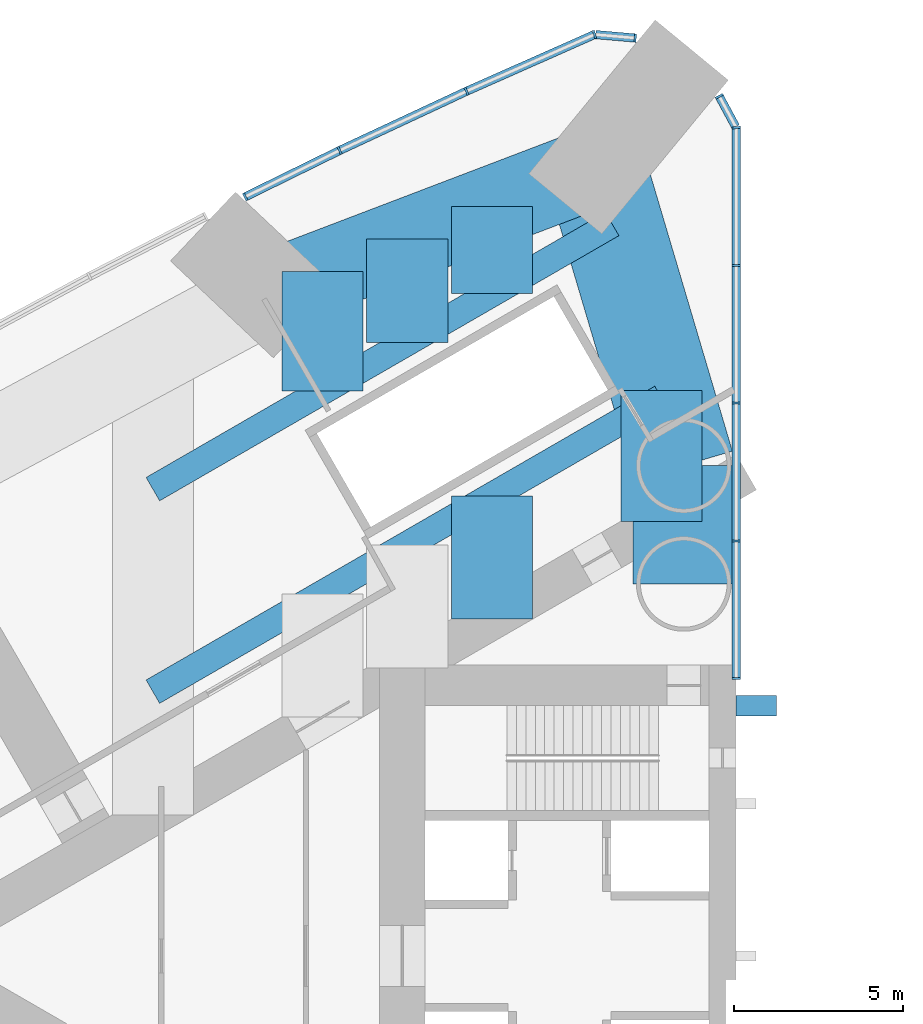
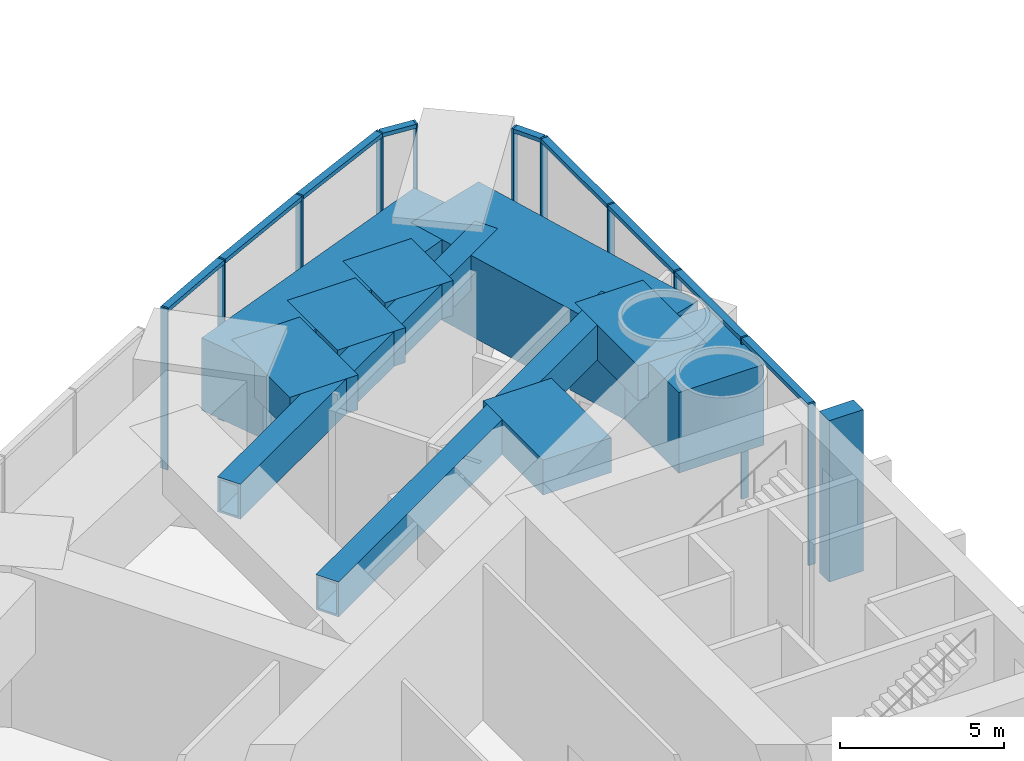
# One storey, part 6 of 18: 21 members, 10 beams, 2 elements without a shape of their own.
"""IFC4 building model written with IfcOpenShell, lengths in metres."""

import ifcopenshell
import ifcopenshell.guid

model = None  # the IFC model being written
_history = None  # IfcOwnerHistory: only IFC2X3 demands one
_inside = {}  # id of a spatial element -> (the spatial element, [elements in it])
_under = {}  # id of a project, library or spatial element -> (it, [spatial elements below it])
_declared = {}  # id of a project -> (the project, [libraries it declares])
_typed = {}  # id of a type object -> (the type object, [elements of that type])
_made_of = {}  # id of a material, layer set ... -> (it, [elements and type objects made of it])


def new_model(schema):
    """Start an empty IFC model of exactly this schema.

    Asked for "IFC4X3", IfcOpenShell would pick the latest addendum, in which some entities
    have other attributes; the version numbers below select the first issue.
    IFC2X3 requires an IfcOwnerHistory on every rooted entity: one is made here for all.
    """
    global model, _history
    if schema == "IFC4X3":
        model = ifcopenshell.file(schema_version=(4, 3, 0, 0))
    else:
        model = ifcopenshell.file(schema=schema)
    _inside.clear()
    _under.clear()
    _declared.clear()
    _typed.clear()
    _made_of.clear()
    _history = None
    if model.schema == "IFC2X3":
        org = make("IfcOrganization", Name="unknown")
        user = make(
            "IfcPersonAndOrganization",
            ThePerson=make("IfcPerson", FamilyName="unknown"),
            TheOrganization=org,
        )
        app = make(
            "IfcApplication",
            ApplicationDeveloper=org,
            Version="unknown",
            ApplicationFullName="unknown",
            ApplicationIdentifier="unknown",
        )
        _history = make(
            "IfcOwnerHistory",
            OwningUser=user,
            OwningApplication=app,
            ChangeAction="ADDED",
            CreationDate=0,
        )
    return model


def make(cls, **values):
    """One entity of the class cls with the attributes given. An attribute that is None is left unset."""
    return model.create_entity(
        cls, **{name: value for name, value in values.items() if value is not None}
    )


def rooted(cls, **values):
    """An entity with a GlobalId (a new one), such as an element, a storey or a relation."""
    return make(cls, GlobalId=ifcopenshell.guid.new(), OwnerHistory=_history, **values)


def si_unit(unit_type, name, prefix=None):
    """IfcSIUnit, for example si_unit("LENGTHUNIT", "METRE", prefix="MILLI")."""
    return make("IfcSIUnit", UnitType=unit_type, Prefix=prefix, Name=name)


def assignment(units):
    """IfcUnitAssignment: the units of a project."""
    return None if units is None else make("IfcUnitAssignment", Units=units)


def point(xyz):
    """IfcCartesianPoint."""
    return None if xyz is None else make("IfcCartesianPoint", Coordinates=xyz)


def direction(xyz):
    """IfcDirection."""
    return None if xyz is None else make("IfcDirection", DirectionRatios=xyz)


def frame(location, z_axis=None, x_axis=None):
    """IfcAxis2Placement3D, a coordinate frame: its origin and axes. An axis left out is left unset."""
    return make(
        "IfcAxis2Placement3D",
        Location=point(location),
        Axis=direction(z_axis),
        RefDirection=direction(x_axis),
    )


def frame_2d(location, x_axis=None):
    """IfcAxis2Placement2D, a coordinate frame in the plane: its origin and x axis."""
    return make(
        "IfcAxis2Placement2D", Location=point(location), RefDirection=direction(x_axis)
    )


def origin():
    """The frame at (0, 0, 0) with its axes left unset."""
    return frame((0.0, 0.0, 0.0))


def origin_2d():
    """The frame at (0, 0) in the plane with its x axis left unset."""
    return frame_2d((0.0, 0.0))


def place(relative_to, where):
    """IfcLocalPlacement: puts the frame where relative to a parent placement (None: the world)."""
    return make(
        "IfcLocalPlacement", PlacementRelTo=relative_to, RelativePlacement=where
    )


def context(
    kind, dimensions, precision=None, world=None, true_north=None, identifier=None
):
    """IfcGeometricRepresentationContext, for example the 3D "Model" context."""
    return make(
        "IfcGeometricRepresentationContext",
        ContextIdentifier=identifier,
        ContextType=kind,
        CoordinateSpaceDimension=dimensions,
        Precision=precision,
        WorldCoordinateSystem=world,
        TrueNorth=true_north,
    )


def subcontext(parent, identifier, kind, view, scale=None):
    """IfcGeometricRepresentationSubContext, for example "Body" below "Model"."""
    return make(
        "IfcGeometricRepresentationSubContext",
        ContextIdentifier=identifier,
        ContextType=kind,
        ParentContext=parent,
        TargetScale=scale,
        TargetView=view,
    )


def project(units=None, contexts=None):
    """IfcProject with its units and contexts."""
    return rooted(
        "IfcProject",
        Name="project",
        RepresentationContexts=contexts,
        UnitsInContext=assignment(units),
    )


def spatial(cls, under=None, at=None, **own):
    """A site, building, storey or space (cls), placed at a placement, below another one or the project."""
    s = rooted(cls, ObjectPlacement=at, **own)
    if under is not None:
        _under.setdefault(under.id(), (under, []))[1].append(s)
    return s


def profile(cls, at=None, kind="AREA", **sizes):
    """A parametric profile (cls). Its sizes go by their IFC names, for example OverallWidth=200.0."""
    return make(cls, ProfileType=kind, Position=at, **sizes)


def rectangle(**sizes):
    """IfcRectangleProfileDef."""
    return profile("IfcRectangleProfileDef", **sizes)


def hollow_rectangle(**sizes):
    """IfcRectangleHollowProfileDef."""
    return profile("IfcRectangleHollowProfileDef", **sizes)


def extrude(swept, where, along, depth):
    """IfcExtrudedAreaSolid: the profile swept, set in the frame where, extruded along a direction by depth."""
    return make(
        "IfcExtrudedAreaSolid",
        SweptArea=swept,
        Position=where,
        ExtrudedDirection=direction(along),
        Depth=depth,
    )


def shape(context_of_items, identifier, shape_type, items):
    """IfcShapeRepresentation: the items that make up one representation, for example the "Body"."""
    return make(
        "IfcShapeRepresentation",
        ContextOfItems=context_of_items,
        RepresentationIdentifier=identifier,
        RepresentationType=shape_type,
        Items=items,
    )


def material(Name=None, Category=None):
    """IfcMaterial."""
    return make("IfcMaterial", Name=Name, Category=Category)


def material_profile(
    of_material, cross_section, Name=None, Category=None, Priority=None
):
    """IfcMaterialProfile: a cross section and its material."""
    return make(
        "IfcMaterialProfile",
        Name=Name,
        Material=of_material,
        Profile=cross_section,
        Priority=Priority,
        Category=Category,
    )


def profile_set(profiles, Name=None, composite=None):
    """IfcMaterialProfileSet."""
    return make(
        "IfcMaterialProfileSet",
        Name=Name,
        MaterialProfiles=profiles,
        CompositeProfile=composite,
    )


def made_of(thing, what):
    """Note that an element or type object is made of a material, layer set ...; save() writes the relation."""
    if what is not None:
        _made_of.setdefault(what.id(), (what, []))[1].append(thing)
    return thing


def type_object(cls, material=None, **own):
    """A type object (cls), such as IfcWallType, which elements share."""
    return made_of(rooted(cls, **own), material)


def element(
    cls,
    number,
    at=None,
    inside=None,
    cuts=None,
    type_object=None,
    material=None,
    context=None,
    identifier="Body",
    shape_type=None,
    held_by="IfcProductDefinitionShape",
    body=None,
    shapes=None,
    **own,
):
    """One element of the class cls, such as IfcWall. Its Tag is "e" and its number.

    at: its placement. inside: the storey or other place that contains it. cuts: it is an
    opening in that element (IfcRelVoidsElement). A single representation is given by context,
    identifier, shape_type and body (its items); several are given by shapes. held_by: the class
    of the entity that holds the representations. save() writes the other relations.
    """
    e = rooted(cls, Tag="e%d" % number, ObjectPlacement=at, **own)
    if body is not None:
        shapes = [shape(context, identifier, shape_type, body)]
    if shapes is not None:
        e.Representation = make(held_by, Representations=shapes)
    if inside is not None:
        _inside.setdefault(inside.id(), (inside, []))[1].append(e)
    if cuts is not None:
        rooted(
            "IfcRelVoidsElement", RelatingBuildingElement=cuts, RelatedOpeningElement=e
        )
    if type_object is not None:
        _typed.setdefault(type_object.id(), (type_object, []))[1].append(e)
    return made_of(e, material)


def aggregate(whole, parts):
    """IfcRelAggregates: a whole, such as a stair, and the parts it consists of."""
    return rooted("IfcRelAggregates", RelatingObject=whole, RelatedObjects=parts)


def save(model, path):
    """Write the relations noted so far, then the file.

    IfcRelAggregates (storeys below a building ...), IfcRelContainedInSpatialStructure (elements
    in a storey), IfcRelDefinesByType, IfcRelAssociatesMaterial and IfcRelDeclares: one each for
    every whole, place, type object, material and project.
    """
    for whole, parts in _under.values():
        aggregate(whole, parts)
    for where, things in _inside.values():
        rooted(
            "IfcRelContainedInSpatialStructure",
            RelatedElements=things,
            RelatingStructure=where,
        )
    for kind, things in _typed.values():
        rooted("IfcRelDefinesByType", RelatedObjects=things, RelatingType=kind)
    for what, things in _made_of.values():
        rooted("IfcRelAssociatesMaterial", RelatedObjects=things, RelatingMaterial=what)
    for by, libraries in _declared.values():
        rooted("IfcRelDeclares", RelatingContext=by, RelatedDefinitions=libraries)
    model.write(path)


model = new_model("IFC4")

# Units and contexts
model_context = context("Model", 3, precision=1e-05, world=origin(), true_north=direction((0.0, 1.0)))
body_context = subcontext(model_context, "Body", "Model", "MODEL_VIEW")
ifc_project = project(units=[si_unit("LENGTHUNIT", "METRE"), si_unit("AREAUNIT", "SQUARE_METRE"), si_unit("VOLUMEUNIT", "CUBIC_METRE"), si_unit("PLANEANGLEUNIT", "RADIAN"), si_unit("MASSUNIT", "GRAM", prefix="KILO")], contexts=[model_context])

# Site, building, storey
site_placement = place(None, origin())
site = spatial("IfcSite", under=ifc_project, at=site_placement, CompositionType="ELEMENT")
building_placement = place(site_placement, origin())
building = spatial("IfcBuilding", under=site, at=building_placement, Name="Lancet Gate Hotel", CompositionType="ELEMENT")
storey_placement = place(building_placement, frame((0.0, 0.0, 81.0)))
storey = spatial("IfcBuildingStorey", under=building, at=storey_placement, Name="L21", CompositionType="ELEMENT", Elevation=81.0)

# Curtain wall, members
ifc_material_1 = material(Name="Aluminium curtain wall", Category="aluminium")
curtain_wall_type = type_object("IfcCurtainWallType", Name="Refuge storey louvred curtain wall", PredefinedType="USERDEFINED", material=ifc_material_1)
curtain_wall_1_placement = place(storey_placement, origin())
curtain_wall_1 = element("IfcCurtainWall", 1, at=curtain_wall_1_placement, inside=storey, type_object=curtain_wall_type, Name="T1 L21 curtain wall 1", ObjectType="LANTERN GLAZING", PredefinedType="USERDEFINED")
ifc_material_2 = material(Name="Aluminium mullion", Category="aluminium")
ifc_material_profile_1 = material_profile(ifc_material_2, rectangle(XDim=0.06494140625, YDim=0.25, at=origin_2d()), Name="MULLION 65x250")
ifc_profile_set_1 = profile_set([ifc_material_profile_1], Name="Aluminium mullion")
member_type_1 = type_object("IfcMemberType", Name="Aluminium mullion 65x250", PredefinedType="MULLION", material=ifc_profile_set_1)
member_1_placement = place(storey_placement, frame((-27.5, 8.199951171875, 0.0), z_axis=(0.0, 0.0, 1.0), x_axis=(0.0, 1.0, 0.0)))
member_1 = element("IfcMember", 2, at=member_1_placement, type_object=member_type_1, Name="T1 L21 curtain wall 1 mullion 1", PredefinedType="MULLION", context=body_context, shape_type="SweptSolid", body=[
    extrude(rectangle(XDim=0.06494140625, YDim=0.25, at=origin_2d()), origin(), (0.0, 0.0, 1.0), 6.0),
])
member_2_placement = place(storey_placement, frame((-27.5, 12.272705078125, 0.0), z_axis=(0.0, 0.0, 1.0), x_axis=(0.0, 1.0, 0.0)))
member_2 = element("IfcMember", 3, at=member_2_placement, type_object=member_type_1, Name="T1 L21 curtain wall 1 mullion 2", PredefinedType="MULLION", context=body_context, shape_type="SweptSolid", body=[
    extrude(rectangle(XDim=0.06494140625, YDim=0.25, at=origin_2d()), origin(), (0.0, 0.0, 1.0), 6.0),
])
member_3_placement = place(storey_placement, frame((-27.5, 16.345703125, 0.0), z_axis=(0.0, 0.0, 1.0), x_axis=(0.0, 1.0, 0.0)))
member_3 = element("IfcMember", 4, at=member_3_placement, type_object=member_type_1, Name="T1 L21 curtain wall 1 mullion 3", PredefinedType="MULLION", context=body_context, shape_type="SweptSolid", body=[
    extrude(rectangle(XDim=0.06494140625, YDim=0.25, at=origin_2d()), origin(), (0.0, 0.0, 1.0), 6.0),
])
member_4_placement = place(storey_placement, frame((-27.5, 20.41845703125, 0.0), z_axis=(0.0, 0.0, 1.0), x_axis=(0.0, 1.0, 0.0)))
member_4 = element("IfcMember", 5, at=member_4_placement, type_object=member_type_1, Name="T1 L21 curtain wall 1 mullion 4", PredefinedType="MULLION", context=body_context, shape_type="SweptSolid", body=[
    extrude(rectangle(XDim=0.06494140625, YDim=0.25, at=origin_2d()), origin(), (0.0, 0.0, 1.0), 6.0),
])
member_5_placement = place(storey_placement, frame((-27.5, 24.4912109375, 0.0), z_axis=(0.0, 0.0, 1.0), x_axis=(-0.099392472298, 0.995048308601, 0.0)))
member_5 = element("IfcMember", 6, at=member_5_placement, type_object=member_type_1, Name="T1 L21 curtain wall 1 mullion 5", PredefinedType="MULLION", context=body_context, shape_type="SweptSolid", body=[
    extrude(rectangle(XDim=0.06494140625, YDim=0.25, at=origin_2d()), origin(), (0.0, 0.0, 1.0), 6.0),
])
member_6_placement = place(storey_placement, frame((-27.999267578125, 25.417236328125, 0.0), z_axis=(0.0, 0.0, 1.0), x_axis=(-0.474631040972, 0.880184852714, 0.0)))
member_6 = element("IfcMember", 7, at=member_6_placement, type_object=member_type_1, Name="T1 L21 curtain wall 1 mullion 6", PredefinedType="MULLION", context=body_context, shape_type="SweptSolid", body=[
    extrude(rectangle(XDim=0.06494140625, YDim=0.25, at=origin_2d()), origin(), (0.0, 0.0, 1.0), 6.0),
])

curtain_wall_2_placement = place(storey_placement, origin())
curtain_wall_2 = element("IfcCurtainWall", 8, at=curtain_wall_2_placement, inside=storey, type_object=curtain_wall_type, Name="T1 L21 curtain wall 2", ObjectType="LANTERN GLAZING", PredefinedType="USERDEFINED")
member_7_placement = place(storey_placement, frame((-30.485595703125, 27.140625, 0.0), z_axis=(0.0, 0.0, 1.0), x_axis=(-0.99620380374, 0.087051602022, 0.0)))
member_7 = element("IfcMember", 9, at=member_7_placement, type_object=member_type_1, Name="T1 L21 curtain wall 2 mullion 1", PredefinedType="MULLION", context=body_context, shape_type="SweptSolid", body=[
    extrude(rectangle(XDim=0.06494140625, YDim=0.25, at=origin_2d()), origin(), (0.0, 0.0, 1.0), 6.0),
])
member_8_placement = place(storey_placement, frame((-31.688720703125, 27.24560546875, 0.0), z_axis=(0.0, 0.0, 1.0), x_axis=(-0.953736746379, -0.300643008578, 0.0)))
member_8 = element("IfcMember", 10, at=member_8_placement, type_object=member_type_1, Name="T1 L21 curtain wall 2 mullion 2", PredefinedType="MULLION", context=body_context, shape_type="SweptSolid", body=[
    extrude(rectangle(XDim=0.06494140625, YDim=0.25, at=origin_2d()), origin(), (0.0, 0.0, 1.0), 6.0),
])
member_9_placement = place(storey_placement, frame((-35.473876953125, 25.568115234375, 0.0), z_axis=(0.0, 0.0, 1.0), x_axis=(-0.910219680212, -0.414125746308, 0.0)))
member_9 = element("IfcMember", 11, at=member_9_placement, type_object=member_type_1, Name="T1 L21 curtain wall 2 mullion 3", PredefinedType="MULLION", context=body_context, shape_type="SweptSolid", body=[
    extrude(rectangle(XDim=0.06494140625, YDim=0.25, at=origin_2d()), origin(), (0.0, 0.0, 1.0), 6.0),
])
member_10_placement = place(storey_placement, frame((-39.225341796875, 23.816650390625, 0.0), z_axis=(0.0, 0.0, 1.0), x_axis=(-0.902528866605, -0.43062935913, 0.0)))
member_10 = element("IfcMember", 12, at=member_10_placement, type_object=member_type_1, Name="T1 L21 curtain wall 2 mullion 4", PredefinedType="MULLION", context=body_context, shape_type="SweptSolid", body=[
    extrude(rectangle(XDim=0.06494140625, YDim=0.25, at=origin_2d()), origin(), (0.0, 0.0, 1.0), 6.0),
])
member_11_placement = place(storey_placement, frame((-42.017822265625, 22.44580078125, 0.0), z_axis=(0.0, 0.0, 1.0), x_axis=(-0.897653295642, -0.440702349463, 0.0)))
member_11 = element("IfcMember", 13, at=member_11_placement, type_object=member_type_1, Name="T1 L21 curtain wall 2 mullion 5", PredefinedType="MULLION", context=body_context, shape_type="SweptSolid", body=[
    extrude(rectangle(XDim=0.06494140625, YDim=0.25, at=origin_2d()), origin(), (0.0, 0.0, 1.0), 6.0),
])

# Member
ifc_material_3 = material(Name="Aluminium transom", Category="aluminium")
ifc_material_profile_2 = material_profile(ifc_material_3, rectangle(XDim=0.25, YDim=0.14990234375, at=origin_2d()), Name="TRANSOM 250x150")
ifc_profile_set_2 = profile_set([ifc_material_profile_2], Name="Aluminium transom")
member_type_2 = type_object("IfcMemberType", Name="Aluminium transom 250x150", PredefinedType="USERDEFINED", material=ifc_profile_set_2)
member_12_placement = place(storey_placement, frame((-27.5, 8.232421875, 5.925048828125), z_axis=(0.0, 1.0, 0.0), x_axis=(-1.0, 0.0, 0.0)))
member_12 = element("IfcMember", 14, at=member_12_placement, type_object=member_type_2, Name="T1 L21 curtain wall 1 transom 1", ObjectType="TRANSOM", PredefinedType="USERDEFINED", context=body_context, shape_type="SweptSolid", body=[
    extrude(rectangle(XDim=0.25, YDim=0.14990234375, at=origin_2d()), origin(), (0.0, 0.0, 1.0), 4.0078125),
])

member_13_placement = place(storey_placement, frame((-27.5, 12.30517578125, 5.925048828125), z_axis=(0.0, 1.0, 0.0), x_axis=(-1.0, 0.0, 0.0)))
member_13 = element("IfcMember", 15, at=member_13_placement, type_object=member_type_2, Name="T1 L21 curtain wall 1 transom 2", ObjectType="TRANSOM", PredefinedType="USERDEFINED", context=body_context, shape_type="SweptSolid", body=[
    extrude(rectangle(XDim=0.25, YDim=0.14990234375, at=origin_2d()), origin(), (0.0, 0.0, 1.0), 4.0078125),
])

member_14_placement = place(storey_placement, frame((-27.5, 16.378173828125, 5.925048828125), z_axis=(0.0, 1.0, 0.0), x_axis=(-1.0, 0.0, 0.0)))
member_14 = element("IfcMember", 16, at=member_14_placement, type_object=member_type_2, Name="T1 L21 curtain wall 1 transom 3", ObjectType="TRANSOM", PredefinedType="USERDEFINED", context=body_context, shape_type="SweptSolid", body=[
    extrude(rectangle(XDim=0.25, YDim=0.14990234375, at=origin_2d()), origin(), (0.0, 0.0, 1.0), 4.0078125),
])

member_15_placement = place(storey_placement, frame((-27.5, 20.450927734375, 5.925048828125), z_axis=(0.0, 1.0, 0.0), x_axis=(-1.0, 0.0, 0.0)))
member_15 = element("IfcMember", 17, at=member_15_placement, type_object=member_type_2, Name="T1 L21 curtain wall 1 transom 4", ObjectType="TRANSOM", PredefinedType="USERDEFINED", context=body_context, shape_type="SweptSolid", body=[
    extrude(rectangle(XDim=0.25, YDim=0.14990234375, at=origin_2d()), origin(), (0.0, 0.0, 1.0), 4.0078125),
])

member_16_placement = place(storey_placement, frame((-27.515380859375, 24.519775390625, 5.925048828125), z_axis=(-0.474704521385, 0.880145225163, 0.0), x_axis=(-0.880145225163, -0.474704521385, 0.0)))
member_16 = element("IfcMember", 18, at=member_16_placement, type_object=member_type_2, Name="T1 L21 curtain wall 1 transom 5", ObjectType="TRANSOM", PredefinedType="USERDEFINED", context=body_context, shape_type="SweptSolid", body=[
    extrude(rectangle(XDim=0.25, YDim=0.14990234375, at=origin_2d()), origin(), (0.0, 0.0, 1.0), 0.987060546875),
])

aggregate(curtain_wall_1, [member_1, member_2, member_3, member_4, member_5, member_6, member_12, member_13, member_14, member_15, member_16])

member_17_placement = place(storey_placement, frame((-30.517822265625, 27.143310546875, 5.925048828125), z_axis=(-0.996193949384, 0.087164300096, 0.0), x_axis=(-0.087164300096, -0.996193949384, 0.0)))
member_17 = element("IfcMember", 19, at=member_17_placement, type_object=member_type_2, Name="T1 L21 curtain wall 2 transom 1", ObjectType="TRANSOM", PredefinedType="USERDEFINED", context=body_context, shape_type="SweptSolid", body=[
    extrude(rectangle(XDim=0.25, YDim=0.14990234375, at=origin_2d()), origin(), (0.0, 0.0, 1.0), 1.142822265625),
])

member_18_placement = place(storey_placement, frame((-31.71826171875, 27.232421875, 5.925048828125), z_axis=(-0.914248281954, -0.405154389022, 0.0), x_axis=(0.405154389022, -0.914248281954, 0.0)))
member_18 = element("IfcMember", 20, at=member_18_placement, type_object=member_type_2, Name="T1 L21 curtain wall 2 transom 2", ObjectType="TRANSOM", PredefinedType="USERDEFINED", context=body_context, shape_type="SweptSolid", body=[
    extrude(rectangle(XDim=0.25, YDim=0.14990234375, at=origin_2d()), origin(), (0.0, 0.0, 1.0), 4.0751953125),
])

member_19_placement = place(storey_placement, frame((-35.503173828125, 25.554443359375, 5.925048828125), z_axis=(-0.906109667261, -0.423042871228, 0.0), x_axis=(0.423042871228, -0.906109667261, 0.0)))
member_19 = element("IfcMember", 21, at=member_19_placement, type_object=member_type_2, Name="T1 L21 curtain wall 2 transom 3", ObjectType="TRANSOM", PredefinedType="USERDEFINED", context=body_context, shape_type="SweptSolid", body=[
    extrude(rectangle(XDim=0.25, YDim=0.14990234375, at=origin_2d()), origin(), (0.0, 0.0, 1.0), 4.075439453125),
])

member_20_placement = place(storey_placement, frame((-39.254638671875, 23.80224609375, 5.925048828125), z_axis=(-0.897642241147, -0.440724865317, 0.0), x_axis=(0.440724865317, -0.897642241147, 0.0)))
member_20 = element("IfcMember", 22, at=member_20_placement, type_object=member_type_2, Name="T1 L21 curtain wall 2 transom 4", ObjectType="TRANSOM", PredefinedType="USERDEFINED", context=body_context, shape_type="SweptSolid", body=[
    extrude(rectangle(XDim=0.25, YDim=0.14990234375, at=origin_2d()), origin(), (0.0, 0.0, 1.0), 3.045654296875),
])

aggregate(curtain_wall_2, [member_7, member_8, member_9, member_10, member_11, member_17, member_18, member_19, member_20])

ifc_material_4 = material(Name="Concrete C60/75", Category="concrete")
ifc_material_profile_3 = material_profile(ifc_material_4, rectangle(XDim=0.60009765625, YDim=1.199951171875, at=origin_2d()), Name="FIN 600x1200")
ifc_profile_set_3 = profile_set([ifc_material_profile_3], Name="Concrete C60/75")
member_type_3 = type_object("IfcMemberType", Name="Exposed concrete buttress pilaster 600x1200", PredefinedType="USERDEFINED", material=ifc_profile_set_3)
member_21_placement = place(storey_placement, frame((-26.909912109375, 7.39990234375, 0.0), z_axis=(0.0, 0.0, 1.0), x_axis=(0.0, 1.0, 0.0)))
element("IfcMember", 23, at=member_21_placement, inside=storey, type_object=member_type_3, Name="T1 buttress pilaster S L21", ObjectType="FIN", PredefinedType="USERDEFINED", context=body_context, shape_type="SweptSolid", body=[
    extrude(rectangle(XDim=0.60009765625, YDim=1.199951171875, at=origin_2d()), origin(), (0.0, 0.0, 1.0), 6.0),
])

# Beams
ifc_material_5 = material(Name="Concrete C50/60", Category="concrete")
ifc_material_profile_4 = material_profile(ifc_material_5, rectangle(XDim=2.39990234375, YDim=1.300048828125, at=origin_2d()), Name="RC 2400x1300")
ifc_profile_set_4 = profile_set([ifc_material_profile_4], Name="Concrete C50/60")
beam_type_1 = type_object("IfcBeamType", Name="Floor beam RC 2400x1300", PredefinedType="BEAM", material=ifc_profile_set_4)
beam_1_placement = place(storey_placement, frame((-29.706787109375, 16.71533203125, 5.10009765625), z_axis=(0.0, -1.0, 0.0), x_axis=(1.0, 0.0, 0.0)))
element("IfcBeam", 24, at=beam_1_placement, inside=storey, type_object=beam_type_1, Name="T1 floor beam F02S L21", PredefinedType="BEAM", context=body_context, shape_type="SweptSolid", body=[
    extrude(rectangle(XDim=2.39990234375, YDim=1.300048828125, at=origin_2d()), origin(), (0.0, 0.0, 1.0), 3.86279296875),
])
beam_2_placement = place(storey_placement, frame((-34.720458984375, 22.1533203125, 5.10009765625), z_axis=(0.0, -1.0, 0.0), x_axis=(1.0, 0.0, 0.0)))
element("IfcBeam", 25, at=beam_2_placement, inside=storey, type_object=beam_type_1, Name="T1 floor beam F04SA L21", PredefinedType="BEAM", context=body_context, shape_type="SweptSolid", body=[
    extrude(rectangle(XDim=2.39990234375, YDim=1.300048828125, at=origin_2d()), origin(), (0.0, 0.0, 1.0), 2.561767578125),
])
beam_3_placement = place(storey_placement, frame((-34.720458984375, 13.603759765625, 5.10009765625), z_axis=(0.0, -1.0, 0.0), x_axis=(1.0, 0.0, 0.0)))
element("IfcBeam", 26, at=beam_3_placement, inside=storey, type_object=beam_type_1, Name="T1 floor beam F04SB L21", PredefinedType="BEAM", context=body_context, shape_type="SweptSolid", body=[
    extrude(rectangle(XDim=2.39990234375, YDim=1.300048828125, at=origin_2d()), origin(), (0.0, 0.0, 1.0), 3.645751953125),
])
beam_4_placement = place(storey_placement, frame((-37.227294921875, 21.197509765625, 5.10009765625), z_axis=(0.0, -1.0, 0.0), x_axis=(1.0, 0.0, 0.0)))
element("IfcBeam", 27, at=beam_4_placement, inside=storey, type_object=beam_type_1, Name="T1 floor beam F05SA L21", PredefinedType="BEAM", context=body_context, shape_type="SweptSolid", body=[
    extrude(rectangle(XDim=2.39990234375, YDim=1.300048828125, at=origin_2d()), origin(), (0.0, 0.0, 1.0), 3.053466796875),
])
beam_5_placement = place(storey_placement, frame((-39.734130859375, 20.24169921875, 5.10009765625), z_axis=(0.0, -1.0, 0.0), x_axis=(1.0, 0.0, 0.0)))
element("IfcBeam", 28, at=beam_5_placement, inside=storey, type_object=beam_type_1, Name="T1 floor beam F07SA L21", PredefinedType="BEAM", context=body_context, shape_type="SweptSolid", body=[
    extrude(rectangle(XDim=2.39990234375, YDim=1.300048828125, at=origin_2d()), origin(), (0.0, 0.0, 1.0), 3.545166015625),
])
ifc_material_6 = material(Name="Concrete C50/60", Category="concrete")
ifc_material_profile_5 = material_profile(ifc_material_6, rectangle(XDim=2.39990234375, YDim=2.699951171875, at=origin_2d()), Name="RC 2400x2700")
ifc_profile_set_5 = profile_set([ifc_material_profile_5], Name="Concrete C50/60")
beam_type_2 = type_object("IfcBeamType", Name="Tie ring beam RC 2400x2700", PredefinedType="SPANDREL", material=ifc_profile_set_5)
beam_6_placement = place(storey_placement, frame((-31.66455078125, 23.318359375, 4.39990234375), z_axis=(-0.934392266213, -0.356245832033, 0.0), x_axis=(0.356245832033, -0.934392266213, 0.0)))
element("IfcBeam", 29, at=beam_6_placement, inside=storey, type_object=beam_type_2, Name="T1 tie ring beam RG3 L21", PredefinedType="SPANDREL", context=body_context, shape_type="SweptSolid", body=[
    extrude(rectangle(XDim=2.39990234375, YDim=2.699951171875, at=origin_2d()), origin(), (0.0, 0.0, 1.0), 10.2529296875),
])
ifc_material_7 = material(Name="Concrete C50/60", Category="concrete")
ifc_material_profile_6 = material_profile(ifc_material_7, rectangle(XDim=3.0, YDim=3.0, at=origin_2d()), Name="RC 3000x3000")
ifc_profile_set_6 = profile_set([ifc_material_profile_6], Name="Concrete C50/60")
beam_type_3 = type_object("IfcBeamType", Name="Tie ring beam RC 3000x3000", PredefinedType="SPANDREL", material=ifc_profile_set_6)
beam_7_placement = place(storey_placement, frame((-31.66455078125, 23.318359375, 4.25), z_axis=(0.284253711522, -0.958749095168, 0.0), x_axis=(0.958749095168, 0.284253711522, 0.0)))
element("IfcBeam", 30, at=beam_7_placement, inside=storey, type_object=beam_type_3, Name="T1 tie ring beam RG4 L21", PredefinedType="SPANDREL", context=body_context, shape_type="SweptSolid", body=[
    extrude(rectangle(XDim=3.0, YDim=3.0, at=origin_2d()), origin(), (0.0, 0.0, 1.0), 9.19775390625),
])
beam_8_placement = place(storey_placement, frame((-29.050048828125, 14.5, 4.25), z_axis=(0.0, -1.0, 0.0), x_axis=(1.0, 0.0, 0.0)))
element("IfcBeam", 31, at=beam_8_placement, inside=storey, type_object=beam_type_3, Name="T1 tie ring beam RG4 L21", PredefinedType="SPANDREL", context=body_context, shape_type="SweptSolid", body=[
    extrude(rectangle(XDim=3.0, YDim=3.0, at=origin_2d()), origin(), (0.0, 0.0, 1.0), 3.5),
])
ifc_material_8 = material(Name="Steel S460QL", Category="steel")
ifc_material_profile_7 = material_profile(ifc_material_8, hollow_rectangle(XDim=0.800048828125, YDim=1.300048828125, WallThickness=0.080078125, at=origin_2d()), Name="BOX 1300x800x80")
ifc_profile_set_7 = profile_set([ifc_material_profile_7], Name="Steel S460QL")
beam_type_4 = type_object("IfcBeamType", Name="Trimmer beam BOX 1300x800x80", PredefinedType="BEAM", material=ifc_profile_set_7)
beam_9_placement = place(storey_placement, frame((-29.706787109375, 16.49853515625, 5.10009765625), z_axis=(-0.866003462672, -0.500038001195, 0.0), x_axis=(0.500038001195, -0.866003462672, 0.0)))
element("IfcBeam", 32, at=beam_9_placement, inside=storey, type_object=beam_type_4, Name="T1 trimmer beam TR02S L21", PredefinedType="BEAM", context=body_context, shape_type="SweptSolid", body=[
    extrude(hollow_rectangle(XDim=0.800048828125, YDim=1.300048828125, WallThickness=0.080078125, at=origin_2d()), origin(), (0.0, 0.0, 1.0), 17.368408203125),
])
beam_10_placement = place(storey_placement, frame((-31.16796875, 21.642822265625, 5.10009765625), z_axis=(-0.866004868127, -0.500035567115, 0.0), x_axis=(0.500035567115, -0.866004868127, 0.0)))
element("IfcBeam", 33, at=beam_10_placement, inside=storey, type_object=beam_type_4, Name="T1 trimmer beam TR04S L21", PredefinedType="BEAM", context=body_context, shape_type="SweptSolid", body=[
    extrude(hollow_rectangle(XDim=0.800048828125, YDim=1.300048828125, WallThickness=0.080078125, at=origin_2d()), origin(), (0.0, 0.0, 1.0), 15.680908203125),
])

save(model, "model.ifc")
